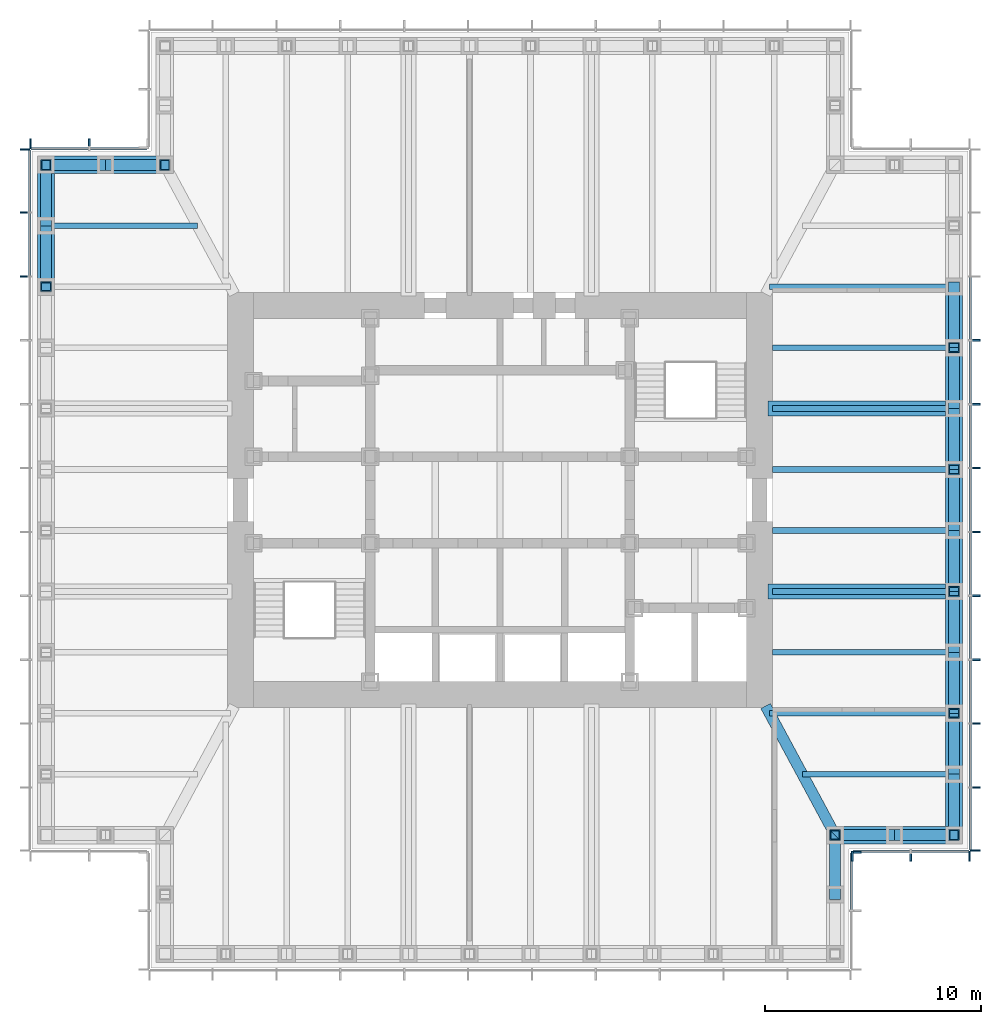
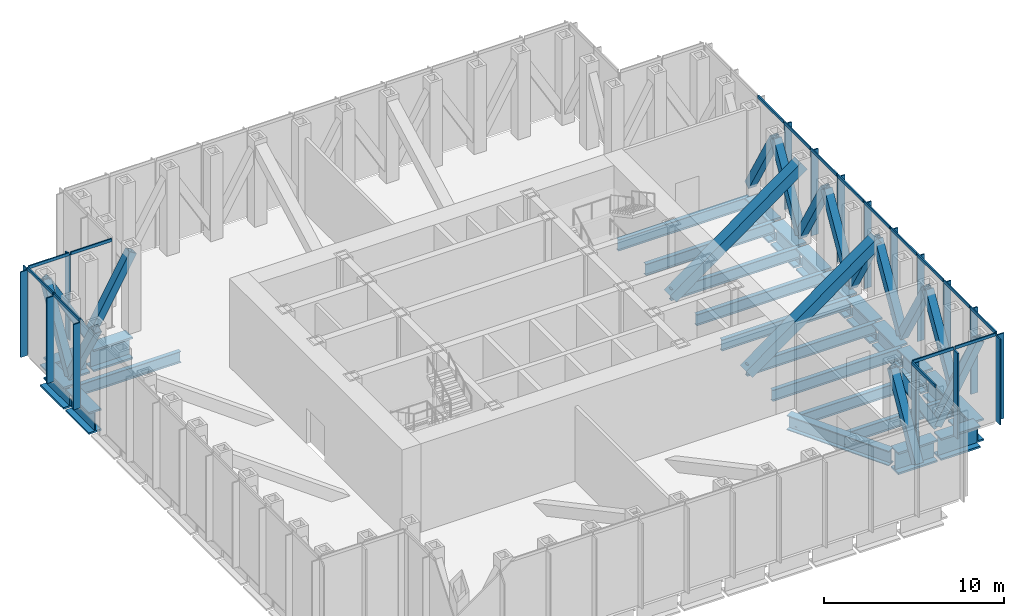
# One storey, part 3 of 12: 52 members, 26 beams, 5 elements without a shape of their own.
"""IFC4 building model written with IfcOpenShell, lengths in metres."""

from ifc_helpers import new_model, si_unit, direction, frame, origin, origin_2d, place, context, subcontext, project, spatial, rectangle, hollow_rectangle, i_section, extrude, material, material_profile, profile_set, type_object, element, aggregate, save


model = new_model("IFC4")

# Units and contexts
model_context = context("Model", 3, precision=1e-05, world=origin(), true_north=direction((0.0, 1.0)))
body_context = subcontext(model_context, "Body", "Model", "MODEL_VIEW")
ifc_project = project(units=[si_unit("LENGTHUNIT", "METRE"), si_unit("AREAUNIT", "SQUARE_METRE"), si_unit("VOLUMEUNIT", "CUBIC_METRE"), si_unit("PLANEANGLEUNIT", "RADIAN"), si_unit("MASSUNIT", "GRAM", prefix="KILO")], contexts=[model_context])

# Site, building, storey
site_placement = place(None, origin())
site = spatial("IfcSite", under=ifc_project, at=site_placement, CompositionType="ELEMENT")
building_placement = place(site_placement, origin())
building = spatial("IfcBuilding", under=site, at=building_placement, Name="Daluyong Arena Tower", CompositionType="ELEMENT")
storey_placement = place(building_placement, frame((0.0, 0.0, 244.300048828125)))
storey = spatial("IfcBuildingStorey", under=building, at=storey_placement, Name="L55", CompositionType="ELEMENT", Elevation=244.300048828125)

# Members
ifc_material_1 = material(Name="Steel ASTM A572 Grade 50", Category="steel")
ifc_material_profile_1 = material_profile(ifc_material_1, hollow_rectangle(XDim=0.5, YDim=0.5, WallThickness=0.04, at=origin_2d()))
ifc_profile_set_1 = profile_set([ifc_material_profile_1], Name="Steel ASTM A572 Grade 50")
member_type_1 = type_object("IfcMemberType", Name="Belt truss diagonal BX500X40", PredefinedType="BRACE", material=ifc_profile_set_1)
for number, where, z_axis, x_axis, name in (
    (1, (71.5, 61.75, 0.5), (0.0, 0.494021463923, 0.869449707104), (-1.0, 0.0, 0.0), "belt truss diagonal BT2"),
    (2, (74.25, 64.5, 0.5), (-0.494021463923, 0.0, 0.869449707104), (0.0, -1.0, 0.0), "belt truss diagonal BT2"),
    (3, (74.25, 64.5, 0.5), (0.494021463923, 0.0, 0.869449707104), (0.0, 1.0, 0.0), "belt truss diagonal BT2"),
):
    element("IfcMember", number, at=place(storey_placement, frame(where, z_axis=z_axis, x_axis=x_axis)), inside=storey, type_object=member_type_1, Name=name, PredefinedType="BRACE", context=body_context, shape_type="SweptSolid", body=[
        extrude(hollow_rectangle(XDim=0.5, YDim=0.5, WallThickness=0.04, at=origin_2d()), origin(), (0.0, 0.0, 1.0), 5.566650390625),
    ])
for number, where, z_axis, x_axis, name in (
    (4, (77.0, 67.318115234375, 0.5), (0.0, -0.503187844061, 0.86417706148), (1.0, 0.0, 0.0), "belt truss diagonal BT2"),
    (5, (77.0, 67.318115234375, 0.5), (0.0, 0.503220397931, 0.864158105387), (-1.0, 0.0, 0.0), "belt truss diagonal BT2"),
    (6, (77.0, 72.95458984375, 0.5), (0.0, -0.503187844061, 0.86417706148), (1.0, 0.0, 0.0), "belt truss diagonal BT2"),
    (7, (77.0, 72.95458984375, 0.5), (0.0, 0.503187844061, 0.86417706148), (-1.0, 0.0, 0.0), "belt truss diagonal BT2"),
    (8, (77.0, 78.5908203125, 0.5), (0.0, -0.503187844061, 0.86417706148), (1.0, 0.0, 0.0), "belt truss diagonal BT2"),
    (9, (77.0, 78.5908203125, 0.5), (0.0, 0.503220397931, 0.864158105387), (-1.0, 0.0, 0.0), "belt truss diagonal BT2"),
    (10, (77.0, 84.227294921875, 0.5), (0.0, -0.503187844061, 0.86417706148), (1.0, 0.0, 0.0), "belt truss diagonal BT2"),
    (11, (77.0, 84.227294921875, 0.5), (0.0, 0.503187844061, 0.86417706148), (-1.0, 0.0, 0.0), "belt truss diagonal BT2"),
    (12, (77.0, 89.863525390625, 0.5), (0.0, -0.503187844061, 0.86417706148), (1.0, 0.0, 0.0), "belt truss diagonal BT2"),
):
    element("IfcMember", number, at=place(storey_placement, frame(where, z_axis=z_axis, x_axis=x_axis)), inside=storey, type_object=member_type_1, Name=name, PredefinedType="BRACE", context=body_context, shape_type="SweptSolid", body=[
        extrude(hollow_rectangle(XDim=0.5, YDim=0.5, WallThickness=0.04, at=origin_2d()), origin(), (0.0, 0.0, 1.0), 5.6005859375),
    ])
for number, where, z_axis, x_axis, name in (
    (13, (37.75, 95.5, 0.5), (0.494021463923, 0.0, 0.869449707104), (0.0, 1.0, 0.0), "belt truss diagonal BT2"),
    (14, (37.75, 95.5, 0.5), (-0.494021463923, 0.0, 0.869449707104), (0.0, -1.0, 0.0), "belt truss diagonal BT2"),
):
    element("IfcMember", number, at=place(storey_placement, frame(where, z_axis=z_axis, x_axis=x_axis)), inside=storey, type_object=member_type_1, Name=name, PredefinedType="BRACE", context=body_context, shape_type="SweptSolid", body=[
        extrude(hollow_rectangle(XDim=0.5, YDim=0.5, WallThickness=0.04, at=origin_2d()), origin(), (0.0, 0.0, 1.0), 5.566650390625),
    ])
for number, where, z_axis, x_axis, name in (
    (15, (35.0, 92.681884765625, 0.5), (0.0, 0.503187844061, 0.86417706148), (-1.0, 0.0, 0.0), "belt truss diagonal BT2"),
    (16, (35.0, 92.681884765625, 0.5), (0.0, -0.503220397931, 0.864158105387), (1.0, 0.0, 0.0), "belt truss diagonal BT2"),
):
    element("IfcMember", number, at=place(storey_placement, frame(where, z_axis=z_axis, x_axis=x_axis)), inside=storey, type_object=member_type_1, Name=name, PredefinedType="BRACE", context=body_context, shape_type="SweptSolid", body=[
        extrude(hollow_rectangle(XDim=0.5, YDim=0.5, WallThickness=0.04, at=origin_2d()), origin(), (0.0, 0.0, 1.0), 5.6005859375),
    ])

# Curtain wall, member
ifc_material_2 = material(Name="Bronze anodised aluminium and glass", Category="aluminium")
curtain_wall_type = type_object("IfcCurtainWallType", Name="Curtain wall CW6", PredefinedType="USERDEFINED", material=ifc_material_2)
curtain_wall_1_placement = place(storey_placement, origin())
curtain_wall_1 = element("IfcCurtainWall", 17, at=curtain_wall_1_placement, inside=storey, type_object=curtain_wall_type, Name="curtain wall L55 SE-E", ObjectType="UNITISED CURTAIN WALL", PredefinedType="USERDEFINED")
ifc_material_3 = material(Name="Bronze anodised aluminium fin", Category="aluminium")
ifc_material_profile_2 = material_profile(ifc_material_3, rectangle(XDim=0.449951171875, YDim=0.080078125, at=origin_2d()))
ifc_profile_set_2 = profile_set([ifc_material_profile_2], Name="Bronze anodised aluminium fin")
member_type_2 = type_object("IfcMemberType", Name="CW6 bronze fin 450x80", PredefinedType="MULLION", material=ifc_profile_set_2)
member_1_placement = place(storey_placement, frame((72.47509765625, 63.7099609375, 0.0), z_axis=(0.0, 0.0, 1.0), x_axis=(-1.0, 0.0, 0.0)))
member_1 = element("IfcMember", 18, at=member_1_placement, type_object=member_type_2, Name="curtain wall L55 SE-E fin 3", PredefinedType="MULLION", context=body_context, shape_type="SweptSolid", body=[
    extrude(rectangle(XDim=0.449951171875, YDim=0.080078125, at=origin_2d()), origin(), (0.0, 0.0, 1.0), 5.800048828125),
])

# Curtain wall, members
curtain_wall_2_placement = place(storey_placement, origin())
curtain_wall_2 = element("IfcCurtainWall", 19, at=curtain_wall_2_placement, inside=storey, type_object=curtain_wall_type, Name="curtain wall L55 SE-S", ObjectType="UNITISED CURTAIN WALL", PredefinedType="USERDEFINED")
member_2_placement = place(storey_placement, frame((72.2900390625, 63.52490234375, 0.0), z_axis=(0.0, 0.0, 1.0), x_axis=(0.0, 1.0, 0.0)))
member_2 = element("IfcMember", 20, at=member_2_placement, type_object=member_type_2, Name="curtain wall L55 SE-S fin 1", PredefinedType="MULLION", context=body_context, shape_type="SweptSolid", body=[
    extrude(rectangle(XDim=0.449951171875, YDim=0.080078125, at=origin_2d()), origin(), (0.0, 0.0, 1.0), 5.800048828125),
])
member_3_placement = place(storey_placement, frame((75.0, 63.52490234375, 0.0), z_axis=(0.0, 0.0, 1.0), x_axis=(0.0, 1.0, 0.0)))
member_3 = element("IfcMember", 21, at=member_3_placement, type_object=member_type_2, Name="curtain wall L55 SE-S fin 2", PredefinedType="MULLION", context=body_context, shape_type="SweptSolid", body=[
    extrude(rectangle(XDim=0.449951171875, YDim=0.080078125, at=origin_2d()), origin(), (0.0, 0.0, 1.0), 5.800048828125),
])
member_4_placement = place(storey_placement, frame((77.7099609375, 63.52490234375, 0.0), z_axis=(0.0, 0.0, 1.0), x_axis=(0.0, 1.0, 0.0)))
member_4 = element("IfcMember", 22, at=member_4_placement, type_object=member_type_2, Name="curtain wall L55 SE-S fin 3", PredefinedType="MULLION", context=body_context, shape_type="SweptSolid", body=[
    extrude(rectangle(XDim=0.449951171875, YDim=0.080078125, at=origin_2d()), origin(), (0.0, 0.0, 1.0), 5.800048828125),
])

curtain_wall_3_placement = place(storey_placement, origin())
curtain_wall_3 = element("IfcCurtainWall", 23, at=curtain_wall_3_placement, inside=storey, type_object=curtain_wall_type, Name="curtain wall L55 E", ObjectType="UNITISED CURTAIN WALL", PredefinedType="USERDEFINED")
member_5_placement = place(storey_placement, frame((77.97509765625, 63.7900390625, 0.0), z_axis=(0.0, 0.0, 1.0), x_axis=(-1.0, 0.0, 0.0)))
member_5 = element("IfcMember", 24, at=member_5_placement, type_object=member_type_2, Name="curtain wall L55 E fin 1", PredefinedType="MULLION", context=body_context, shape_type="SweptSolid", body=[
    extrude(rectangle(XDim=0.449951171875, YDim=0.080078125, at=origin_2d()), origin(), (0.0, 0.0, 1.0), 5.800048828125),
])
member_6_placement = place(storey_placement, frame((77.97509765625, 66.70458984375, 0.0), z_axis=(0.0, 0.0, 1.0), x_axis=(-1.0, 0.0, 0.0)))
member_6 = element("IfcMember", 25, at=member_6_placement, type_object=member_type_2, Name="curtain wall L55 E fin 2", PredefinedType="MULLION", context=body_context, shape_type="SweptSolid", body=[
    extrude(rectangle(XDim=0.449951171875, YDim=0.080078125, at=origin_2d()), origin(), (0.0, 0.0, 1.0), 5.800048828125),
])
member_7_placement = place(storey_placement, frame((77.97509765625, 69.6591796875, 0.0), z_axis=(0.0, 0.0, 1.0), x_axis=(-1.0, 0.0, 0.0)))
member_7 = element("IfcMember", 26, at=member_7_placement, type_object=member_type_2, Name="curtain wall L55 E fin 3", PredefinedType="MULLION", context=body_context, shape_type="SweptSolid", body=[
    extrude(rectangle(XDim=0.449951171875, YDim=0.080078125, at=origin_2d()), origin(), (0.0, 0.0, 1.0), 5.800048828125),
])
member_8_placement = place(storey_placement, frame((77.97509765625, 72.613525390625, 0.0), z_axis=(0.0, 0.0, 1.0), x_axis=(-1.0, 0.0, 0.0)))
member_8 = element("IfcMember", 27, at=member_8_placement, type_object=member_type_2, Name="curtain wall L55 E fin 4", PredefinedType="MULLION", context=body_context, shape_type="SweptSolid", body=[
    extrude(rectangle(XDim=0.449951171875, YDim=0.080078125, at=origin_2d()), origin(), (0.0, 0.0, 1.0), 5.800048828125),
])
member_9_placement = place(storey_placement, frame((77.97509765625, 75.568115234375, 0.0), z_axis=(0.0, 0.0, 1.0), x_axis=(-1.0, 0.0, 0.0)))
member_9 = element("IfcMember", 28, at=member_9_placement, type_object=member_type_2, Name="curtain wall L55 E fin 5", PredefinedType="MULLION", context=body_context, shape_type="SweptSolid", body=[
    extrude(rectangle(XDim=0.449951171875, YDim=0.080078125, at=origin_2d()), origin(), (0.0, 0.0, 1.0), 5.800048828125),
])
member_10_placement = place(storey_placement, frame((77.97509765625, 78.522705078125, 0.0), z_axis=(0.0, 0.0, 1.0), x_axis=(-1.0, 0.0, 0.0)))
member_10 = element("IfcMember", 29, at=member_10_placement, type_object=member_type_2, Name="curtain wall L55 E fin 6", PredefinedType="MULLION", context=body_context, shape_type="SweptSolid", body=[
    extrude(rectangle(XDim=0.449951171875, YDim=0.080078125, at=origin_2d()), origin(), (0.0, 0.0, 1.0), 5.800048828125),
])
member_11_placement = place(storey_placement, frame((77.97509765625, 81.477294921875, 0.0), z_axis=(0.0, 0.0, 1.0), x_axis=(-1.0, 0.0, 0.0)))
member_11 = element("IfcMember", 30, at=member_11_placement, type_object=member_type_2, Name="curtain wall L55 E fin 7", PredefinedType="MULLION", context=body_context, shape_type="SweptSolid", body=[
    extrude(rectangle(XDim=0.449951171875, YDim=0.080078125, at=origin_2d()), origin(), (0.0, 0.0, 1.0), 5.800048828125),
])
member_12_placement = place(storey_placement, frame((77.97509765625, 84.431884765625, 0.0), z_axis=(0.0, 0.0, 1.0), x_axis=(-1.0, 0.0, 0.0)))
member_12 = element("IfcMember", 31, at=member_12_placement, type_object=member_type_2, Name="curtain wall L55 E fin 8", PredefinedType="MULLION", context=body_context, shape_type="SweptSolid", body=[
    extrude(rectangle(XDim=0.449951171875, YDim=0.080078125, at=origin_2d()), origin(), (0.0, 0.0, 1.0), 5.800048828125),
])
member_13_placement = place(storey_placement, frame((77.97509765625, 87.386474609375, 0.0), z_axis=(0.0, 0.0, 1.0), x_axis=(-1.0, 0.0, 0.0)))
member_13 = element("IfcMember", 32, at=member_13_placement, type_object=member_type_2, Name="curtain wall L55 E fin 9", PredefinedType="MULLION", context=body_context, shape_type="SweptSolid", body=[
    extrude(rectangle(XDim=0.449951171875, YDim=0.080078125, at=origin_2d()), origin(), (0.0, 0.0, 1.0), 5.800048828125),
])

curtain_wall_4_placement = place(storey_placement, origin())
curtain_wall_4 = element("IfcCurtainWall", 33, at=curtain_wall_4_placement, inside=storey, type_object=curtain_wall_type, Name="curtain wall L55 NW-N", ObjectType="UNITISED CURTAIN WALL", PredefinedType="USERDEFINED")
member_14_placement = place(storey_placement, frame((37.0, 96.47509765625, 0.0), z_axis=(0.0, 0.0, 1.0), x_axis=(0.0, -1.0, 0.0)))
member_14 = element("IfcMember", 34, at=member_14_placement, type_object=member_type_2, Name="curtain wall L55 NW-N fin 2", PredefinedType="MULLION", context=body_context, shape_type="SweptSolid", body=[
    extrude(rectangle(XDim=0.449951171875, YDim=0.080078125, at=origin_2d()), origin(), (0.0, 0.0, 1.0), 5.800048828125),
])
member_15_placement = place(storey_placement, frame((34.2900390625, 96.47509765625, 0.0), z_axis=(0.0, 0.0, 1.0), x_axis=(0.0, -1.0, 0.0)))
member_15 = element("IfcMember", 35, at=member_15_placement, type_object=member_type_2, Name="curtain wall L55 NW-N fin 3", PredefinedType="MULLION", context=body_context, shape_type="SweptSolid", body=[
    extrude(rectangle(XDim=0.449951171875, YDim=0.080078125, at=origin_2d()), origin(), (0.0, 0.0, 1.0), 5.800048828125),
])

curtain_wall_5_placement = place(storey_placement, origin())
curtain_wall_5 = element("IfcCurtainWall", 36, at=curtain_wall_5_placement, inside=storey, type_object=curtain_wall_type, Name="curtain wall L55 W", ObjectType="UNITISED CURTAIN WALL", PredefinedType="USERDEFINED")
member_16_placement = place(storey_placement, frame((34.02490234375, 96.2099609375, 0.0), z_axis=(0.0, 0.0, 1.0), x_axis=(1.0, 0.0, 0.0)))
member_16 = element("IfcMember", 37, at=member_16_placement, type_object=member_type_2, Name="curtain wall L55 W fin 1", PredefinedType="MULLION", context=body_context, shape_type="SweptSolid", body=[
    extrude(rectangle(XDim=0.449951171875, YDim=0.080078125, at=origin_2d()), origin(), (0.0, 0.0, 1.0), 5.800048828125),
])
member_17_placement = place(storey_placement, frame((34.02490234375, 93.29541015625, 0.0), z_axis=(0.0, 0.0, 1.0), x_axis=(1.0, 0.0, 0.0)))
member_17 = element("IfcMember", 38, at=member_17_placement, type_object=member_type_2, Name="curtain wall L55 W fin 2", PredefinedType="MULLION", context=body_context, shape_type="SweptSolid", body=[
    extrude(rectangle(XDim=0.449951171875, YDim=0.080078125, at=origin_2d()), origin(), (0.0, 0.0, 1.0), 5.800048828125),
])
member_18_placement = place(storey_placement, frame((34.02490234375, 90.3408203125, 0.0), z_axis=(0.0, 0.0, 1.0), x_axis=(1.0, 0.0, 0.0)))
member_18 = element("IfcMember", 39, at=member_18_placement, type_object=member_type_2, Name="curtain wall L55 W fin 3", PredefinedType="MULLION", context=body_context, shape_type="SweptSolid", body=[
    extrude(rectangle(XDim=0.449951171875, YDim=0.080078125, at=origin_2d()), origin(), (0.0, 0.0, 1.0), 5.800048828125),
])

# Member
ifc_material_4 = material(Name="Bronze anodised aluminium", Category="aluminium")
ifc_material_profile_3 = material_profile(ifc_material_4, rectangle(XDim=0.080078125, YDim=0.199951171875, at=origin_2d()))
ifc_profile_set_3 = profile_set([ifc_material_profile_3], Name="Bronze anodised aluminium")
member_type_3 = type_object("IfcMemberType", Name="CW6 stack transom 200x80", PredefinedType="USERDEFINED", material=ifc_profile_set_3)
member_19_placement = place(storey_placement, frame((72.25, 61.0400390625, 5.89990234375), z_axis=(0.0, 1.0, 0.0), x_axis=(-1.0, 0.0, 0.0)))
member_19 = element("IfcMember", 40, at=member_19_placement, type_object=member_type_3, Name="curtain wall L55 SE-E transom 2", ObjectType="TRANSOM", PredefinedType="USERDEFINED", context=body_context, shape_type="SweptSolid", body=[
    extrude(rectangle(XDim=0.080078125, YDim=0.199951171875, at=origin_2d()), origin(), (0.0, 0.0, 1.0), 2.6298828125),
])

aggregate(curtain_wall_1, [member_1, member_19])

member_20_placement = place(storey_placement, frame((72.330078125, 63.75, 5.89990234375), z_axis=(1.0, 0.0, 0.0), x_axis=(0.0, 1.0, 0.0)))
member_20 = element("IfcMember", 41, at=member_20_placement, type_object=member_type_3, Name="curtain wall L55 SE-S transom 1", ObjectType="TRANSOM", PredefinedType="USERDEFINED", context=body_context, shape_type="SweptSolid", body=[
    extrude(rectangle(XDim=0.080078125, YDim=0.199951171875, at=origin_2d()), origin(), (0.0, 0.0, 1.0), 2.6298828125),
])

member_21_placement = place(storey_placement, frame((75.0400390625, 63.75, 5.89990234375), z_axis=(1.0, 0.0, 0.0), x_axis=(0.0, 1.0, 0.0)))
member_21 = element("IfcMember", 42, at=member_21_placement, type_object=member_type_3, Name="curtain wall L55 SE-S transom 2", ObjectType="TRANSOM", PredefinedType="USERDEFINED", context=body_context, shape_type="SweptSolid", body=[
    extrude(rectangle(XDim=0.080078125, YDim=0.199951171875, at=origin_2d()), origin(), (0.0, 0.0, 1.0), 2.6298828125),
])

aggregate(curtain_wall_2, [member_2, member_3, member_4, member_20, member_21])

member_22_placement = place(storey_placement, frame((77.75, 63.830078125, 5.89990234375), z_axis=(0.0, 1.0, 0.0), x_axis=(-1.0, 0.0, 0.0)))
member_22 = element("IfcMember", 43, at=member_22_placement, type_object=member_type_3, Name="curtain wall L55 E transom 1", ObjectType="TRANSOM", PredefinedType="USERDEFINED", context=body_context, shape_type="SweptSolid", body=[
    extrude(rectangle(XDim=0.080078125, YDim=0.199951171875, at=origin_2d()), origin(), (0.0, 0.0, 1.0), 2.83447265625),
])

member_23_placement = place(storey_placement, frame((77.75, 66.74462890625, 5.89990234375), z_axis=(0.0, 1.0, 0.0), x_axis=(-1.0, 0.0, 0.0)))
member_23 = element("IfcMember", 44, at=member_23_placement, type_object=member_type_3, Name="curtain wall L55 E transom 2", ObjectType="TRANSOM", PredefinedType="USERDEFINED", context=body_context, shape_type="SweptSolid", body=[
    extrude(rectangle(XDim=0.080078125, YDim=0.199951171875, at=origin_2d()), origin(), (0.0, 0.0, 1.0), 2.87451171875),
])

member_24_placement = place(storey_placement, frame((77.75, 69.698974609375, 5.89990234375), z_axis=(0.0, 1.0, 0.0), x_axis=(-1.0, 0.0, 0.0)))
member_24 = element("IfcMember", 45, at=member_24_placement, type_object=member_type_3, Name="curtain wall L55 E transom 3", ObjectType="TRANSOM", PredefinedType="USERDEFINED", context=body_context, shape_type="SweptSolid", body=[
    extrude(rectangle(XDim=0.080078125, YDim=0.199951171875, at=origin_2d()), origin(), (0.0, 0.0, 1.0), 2.874755859375),
])

member_25_placement = place(storey_placement, frame((77.75, 72.653564453125, 5.89990234375), z_axis=(0.0, 1.0, 0.0), x_axis=(-1.0, 0.0, 0.0)))
member_25 = element("IfcMember", 46, at=member_25_placement, type_object=member_type_3, Name="curtain wall L55 E transom 4", ObjectType="TRANSOM", PredefinedType="USERDEFINED", context=body_context, shape_type="SweptSolid", body=[
    extrude(rectangle(XDim=0.080078125, YDim=0.199951171875, at=origin_2d()), origin(), (0.0, 0.0, 1.0), 2.87451171875),
])

member_26_placement = place(storey_placement, frame((77.75, 75.608154296875, 5.89990234375), z_axis=(0.0, 1.0, 0.0), x_axis=(-1.0, 0.0, 0.0)))
member_26 = element("IfcMember", 47, at=member_26_placement, type_object=member_type_3, Name="curtain wall L55 E transom 5", ObjectType="TRANSOM", PredefinedType="USERDEFINED", context=body_context, shape_type="SweptSolid", body=[
    extrude(rectangle(XDim=0.080078125, YDim=0.199951171875, at=origin_2d()), origin(), (0.0, 0.0, 1.0), 2.87451171875),
])

member_27_placement = place(storey_placement, frame((77.75, 78.562744140625, 5.89990234375), z_axis=(0.0, 1.0, 0.0), x_axis=(-1.0, 0.0, 0.0)))
member_27 = element("IfcMember", 48, at=member_27_placement, type_object=member_type_3, Name="curtain wall L55 E transom 6", ObjectType="TRANSOM", PredefinedType="USERDEFINED", context=body_context, shape_type="SweptSolid", body=[
    extrude(rectangle(XDim=0.080078125, YDim=0.199951171875, at=origin_2d()), origin(), (0.0, 0.0, 1.0), 2.87451171875),
])

member_28_placement = place(storey_placement, frame((77.75, 81.517333984375, 5.89990234375), z_axis=(0.0, 1.0, 0.0), x_axis=(-1.0, 0.0, 0.0)))
member_28 = element("IfcMember", 49, at=member_28_placement, type_object=member_type_3, Name="curtain wall L55 E transom 7", ObjectType="TRANSOM", PredefinedType="USERDEFINED", context=body_context, shape_type="SweptSolid", body=[
    extrude(rectangle(XDim=0.080078125, YDim=0.199951171875, at=origin_2d()), origin(), (0.0, 0.0, 1.0), 2.87451171875),
])

member_29_placement = place(storey_placement, frame((77.75, 84.471923828125, 5.89990234375), z_axis=(0.0, 1.0, 0.0), x_axis=(-1.0, 0.0, 0.0)))
member_29 = element("IfcMember", 50, at=member_29_placement, type_object=member_type_3, Name="curtain wall L55 E transom 8", ObjectType="TRANSOM", PredefinedType="USERDEFINED", context=body_context, shape_type="SweptSolid", body=[
    extrude(rectangle(XDim=0.080078125, YDim=0.199951171875, at=origin_2d()), origin(), (0.0, 0.0, 1.0), 2.87451171875),
])

member_30_placement = place(storey_placement, frame((77.75, 87.42626953125, 5.89990234375), z_axis=(0.0, 1.0, 0.0), x_axis=(-1.0, 0.0, 0.0)))
member_30 = element("IfcMember", 51, at=member_30_placement, type_object=member_type_3, Name="curtain wall L55 E transom 9", ObjectType="TRANSOM", PredefinedType="USERDEFINED", context=body_context, shape_type="SweptSolid", body=[
    extrude(rectangle(XDim=0.080078125, YDim=0.199951171875, at=origin_2d()), origin(), (0.0, 0.0, 1.0), 2.874755859375),
])

aggregate(curtain_wall_3, [member_5, member_6, member_7, member_8, member_9, member_10, member_11, member_12, member_13, member_22, member_23, member_24, member_25, member_26, member_27, member_28, member_29, member_30])

member_31_placement = place(storey_placement, frame((39.669921875, 96.25, 5.89990234375), z_axis=(-1.0, 0.0, 0.0), x_axis=(0.0, -1.0, 0.0)))
member_31 = element("IfcMember", 52, at=member_31_placement, type_object=member_type_3, Name="curtain wall L55 NW-N transom 1", ObjectType="TRANSOM", PredefinedType="USERDEFINED", context=body_context, shape_type="SweptSolid", body=[
    extrude(rectangle(XDim=0.080078125, YDim=0.199951171875, at=origin_2d()), origin(), (0.0, 0.0, 1.0), 2.6298828125),
])

member_32_placement = place(storey_placement, frame((36.9599609375, 96.25, 5.89990234375), z_axis=(-1.0, 0.0, 0.0), x_axis=(0.0, -1.0, 0.0)))
member_32 = element("IfcMember", 53, at=member_32_placement, type_object=member_type_3, Name="curtain wall L55 NW-N transom 2", ObjectType="TRANSOM", PredefinedType="USERDEFINED", context=body_context, shape_type="SweptSolid", body=[
    extrude(rectangle(XDim=0.080078125, YDim=0.199951171875, at=origin_2d()), origin(), (0.0, 0.0, 1.0), 2.6298828125),
])

aggregate(curtain_wall_4, [member_14, member_15, member_31, member_32])

member_33_placement = place(storey_placement, frame((34.25, 96.169921875, 5.89990234375), z_axis=(0.0, -1.0, 0.0), x_axis=(1.0, 0.0, 0.0)))
member_33 = element("IfcMember", 54, at=member_33_placement, type_object=member_type_3, Name="curtain wall L55 W transom 1", ObjectType="TRANSOM", PredefinedType="USERDEFINED", context=body_context, shape_type="SweptSolid", body=[
    extrude(rectangle(XDim=0.080078125, YDim=0.199951171875, at=origin_2d()), origin(), (0.0, 0.0, 1.0), 2.83447265625),
])

member_34_placement = place(storey_placement, frame((34.25, 93.25537109375, 5.89990234375), z_axis=(0.0, -1.0, 0.0), x_axis=(1.0, 0.0, 0.0)))
member_34 = element("IfcMember", 55, at=member_34_placement, type_object=member_type_3, Name="curtain wall L55 W transom 2", ObjectType="TRANSOM", PredefinedType="USERDEFINED", context=body_context, shape_type="SweptSolid", body=[
    extrude(rectangle(XDim=0.080078125, YDim=0.199951171875, at=origin_2d()), origin(), (0.0, 0.0, 1.0), 2.87451171875),
])

aggregate(curtain_wall_5, [member_16, member_17, member_18, member_33, member_34])

# Beams
ifc_material_5 = material(Name="Steel ASTM A572 Grade 50", Category="steel")
ifc_material_profile_4 = material_profile(ifc_material_5, i_section(OverallWidth=0.5, OverallDepth=1.0, WebThickness=0.03, FlangeThickness=0.06, at=origin_2d()))
ifc_profile_set_4 = profile_set([ifc_material_profile_4], Name="Steel ASTM A572 Grade 50")
beam_type_1 = type_object("IfcBeamType", Name="Corner girder TB1000X500", PredefinedType="BEAM", material=ifc_profile_set_4)
beam_1_placement = place(storey_placement, frame((71.445556640625, 64.601318359375, -0.75), z_axis=(-0.474119475266, 0.880460517669, 0.0), x_axis=(-0.880460517669, -0.474119475266, 0.0)))
element("IfcBeam", 56, at=beam_1_placement, inside=storey, type_object=beam_type_1, Name="corner girder DG2", PredefinedType="BEAM", context=body_context, shape_type="SweptSolid", body=[
    extrude(i_section(OverallWidth=0.5, OverallDepth=1.0, WebThickness=0.03, FlangeThickness=0.06, at=origin_2d()), origin(), (0.0, 0.0, 1.0), 6.66748046875),
])
ifc_material_6 = material(Name="Steel ASTM A992 Grade 50", Category="steel")
ifc_material_profile_5 = material_profile(ifc_material_6, i_section(OverallWidth=0.2666015625, OverallDepth=0.761962890625, WebThickness=0.014404296875, FlangeThickness=0.021484375, at=origin_2d()))
ifc_profile_set_5 = profile_set([ifc_material_profile_5], Name="Steel ASTM A992 Grade 50")
beam_type_2 = type_object("IfcBeamType", Name="Floor beam W30X116", PredefinedType="BEAM", material=ifc_profile_set_5)
beam_2_placement = place(storey_placement, frame((76.885009765625, 67.318115234375, -0.631103515625), z_axis=(-1.0, 0.0, 0.0), x_axis=(0.0, -1.0, 0.0)))
element("IfcBeam", 57, at=beam_2_placement, inside=storey, type_object=beam_type_2, Name="floor beam FB4", PredefinedType="BEAM", context=body_context, shape_type="SweptSolid", body=[
    extrude(i_section(OverallWidth=0.2666015625, OverallDepth=0.761962890625, WebThickness=0.014404296875, FlangeThickness=0.021484375, at=origin_2d()), origin(), (0.0, 0.0, 1.0), 6.902587890625),
])
beam_3_placement = place(storey_placement, frame((76.885009765625, 70.136474609375, -0.631103515625), z_axis=(-1.0, 0.0, 0.0), x_axis=(0.0, -1.0, 0.0)))
element("IfcBeam", 58, at=beam_3_placement, inside=storey, type_object=beam_type_2, Name="floor beam FB4", PredefinedType="BEAM", context=body_context, shape_type="SweptSolid", body=[
    extrude(i_section(OverallWidth=0.2666015625, OverallDepth=0.761962890625, WebThickness=0.014404296875, FlangeThickness=0.021484375, at=origin_2d()), origin(), (0.0, 0.0, 1.0), 8.419921875),
])
for number, where, z_axis, x_axis, name in (
    (59, (76.885009765625, 72.95458984375, -0.631103515625), (-1.0, 0.0, 0.0), (0.0, -1.0, 0.0), "floor beam FB4"),
    (60, (76.885009765625, 75.772705078125, -0.631103515625), (-1.0, 0.0, 0.0), (0.0, -1.0, 0.0), "floor beam FB4"),
    (61, (76.885009765625, 78.5908203125, -0.631103515625), (-1.0, 0.0, 0.0), (0.0, -1.0, 0.0), "floor beam FB4"),
    (62, (76.885009765625, 81.4091796875, -0.631103515625), (-1.0, 0.0, 0.0), (0.0, -1.0, 0.0), "floor beam FB4"),
    (63, (76.885009765625, 84.227294921875, -0.631103515625), (-1.0, 0.0, 0.0), (0.0, -1.0, 0.0), "floor beam FB4"),
    (64, (76.885009765625, 87.04541015625, -0.631103515625), (-1.0, 0.0, 0.0), (0.0, -1.0, 0.0), "floor beam FB4"),
):
    element("IfcBeam", number, at=place(storey_placement, frame(where, z_axis=z_axis, x_axis=x_axis)), inside=storey, type_object=beam_type_2, Name=name, PredefinedType="BEAM", context=body_context, shape_type="SweptSolid", body=[
        extrude(i_section(OverallWidth=0.2666015625, OverallDepth=0.761962890625, WebThickness=0.014404296875, FlangeThickness=0.021484375, at=origin_2d()), origin(), (0.0, 0.0, 1.0), 8.284912109375),
    ])
beam_4_placement = place(storey_placement, frame((76.885009765625, 89.863525390625, -0.631103515625), z_axis=(-1.0, 0.0, 0.0), x_axis=(0.0, -1.0, 0.0)))
element("IfcBeam", 65, at=beam_4_placement, inside=storey, type_object=beam_type_2, Name="floor beam FB4", PredefinedType="BEAM", context=body_context, shape_type="SweptSolid", body=[
    extrude(i_section(OverallWidth=0.2666015625, OverallDepth=0.761962890625, WebThickness=0.014404296875, FlangeThickness=0.021484375, at=origin_2d()), origin(), (0.0, 0.0, 1.0), 8.419921875),
])
beam_5_placement = place(storey_placement, frame((35.114990234375, 92.681884765625, -0.631103515625), z_axis=(1.0, 0.0, 0.0), x_axis=(0.0, 1.0, 0.0)))
element("IfcBeam", 66, at=beam_5_placement, inside=storey, type_object=beam_type_2, Name="floor beam FB4", PredefinedType="BEAM", context=body_context, shape_type="SweptSolid", body=[
    extrude(i_section(OverallWidth=0.2666015625, OverallDepth=0.761962890625, WebThickness=0.014404296875, FlangeThickness=0.021484375, at=origin_2d()), origin(), (0.0, 0.0, 1.0), 6.902587890625),
])

# Members
ifc_material_7 = material(Name="Steel ASTM A572 Grade 50", Category="steel")
ifc_material_profile_6 = material_profile(ifc_material_7, hollow_rectangle(XDim=0.699951171875, YDim=0.699951171875, WallThickness=0.06, at=origin_2d()))
ifc_profile_set_6 = profile_set([ifc_material_profile_6], Name="Steel ASTM A572 Grade 50")
member_type_4 = type_object("IfcMemberType", Name="Outrigger diagonal BX700X60", PredefinedType="BRACE", material=ifc_profile_set_6)
for number, where, z_axis, x_axis, name in (
    (67, (68.60009765625, 75.772705078125, -0.75), (0.809614357209, 0.0, 0.586962173058), (0.0, 1.0, 0.0), "outrigger diagonal OT1"),
    (68, (68.60009765625, 84.227294921875, -0.75), (0.809614357209, 0.0, 0.586962173058), (0.0, 1.0, 0.0), "outrigger diagonal OT1"),
):
    element("IfcMember", number, at=place(storey_placement, frame(where, z_axis=z_axis, x_axis=x_axis)), inside=storey, type_object=member_type_4, Name=name, PredefinedType="BRACE", context=body_context, shape_type="SweptSolid", body=[
        extrude(hollow_rectangle(XDim=0.699951171875, YDim=0.699951171875, WallThickness=0.06, at=origin_2d()), origin(), (0.0, 0.0, 1.0), 10.375244140625),
    ])

# Beams
ifc_material_8 = material(Name="Steel ASTM A588 Grade 50", Category="steel")
ifc_material_profile_7 = material_profile(ifc_material_8, i_section(OverallWidth=0.800048828125, OverallDepth=1.5, WebThickness=0.05, FlangeThickness=0.12, at=origin_2d()))
ifc_profile_set_7 = profile_set([ifc_material_profile_7], Name="Steel ASTM A588 Grade 50")
beam_type_3 = type_object("IfcBeamType", Name="Spandrel Z3 PG1500X800", PredefinedType="SPANDREL", material=ifc_profile_set_7)
for number, where, z_axis, x_axis, name in (
    (69, (71.614990234375, 64.5, -1.0), (1.0, 0.0, 0.0), (0.0, 1.0, 0.0), "spandrel z3 SB7"),
    (70, (74.364990234375, 64.5, -1.0), (1.0, 0.0, 0.0), (0.0, 1.0, 0.0), "spandrel z3 SB7"),
):
    element("IfcBeam", number, at=place(storey_placement, frame(where, z_axis=z_axis, x_axis=x_axis)), inside=storey, type_object=beam_type_3, Name=name, PredefinedType="SPANDREL", context=body_context, shape_type="SweptSolid", body=[
        extrude(i_section(OverallWidth=0.800048828125, OverallDepth=1.5, WebThickness=0.05, FlangeThickness=0.12, at=origin_2d()), origin(), (0.0, 0.0, 1.0), 2.52001953125),
    ])
beam_6_placement = place(storey_placement, frame((77.0, 64.614990234375, -1.0), z_axis=(0.0, 1.0, 0.0), x_axis=(-1.0, 0.0, 0.0)))
element("IfcBeam", 71, at=beam_6_placement, inside=storey, type_object=beam_type_3, Name="spandrel z3 SB7", PredefinedType="SPANDREL", context=body_context, shape_type="SweptSolid", body=[
    extrude(i_section(OverallWidth=0.800048828125, OverallDepth=1.5, WebThickness=0.05, FlangeThickness=0.12, at=origin_2d()), origin(), (0.0, 0.0, 1.0), 2.588134765625),
])
beam_7_placement = place(storey_placement, frame((77.0, 67.43310546875, -1.0), z_axis=(0.0, 1.0, 0.0), x_axis=(-1.0, 0.0, 0.0)))
element("IfcBeam", 72, at=beam_7_placement, inside=storey, type_object=beam_type_3, Name="spandrel z3 SB7", PredefinedType="SPANDREL", context=body_context, shape_type="SweptSolid", body=[
    extrude(i_section(OverallWidth=0.800048828125, OverallDepth=1.5, WebThickness=0.05, FlangeThickness=0.12, at=origin_2d()), origin(), (0.0, 0.0, 1.0), 2.58837890625),
])
for number, where, z_axis, x_axis, name in (
    (73, (77.0, 70.25146484375, -1.0), (0.0, 1.0, 0.0), (-1.0, 0.0, 0.0), "spandrel z3 SB7"),
    (74, (77.0, 73.069580078125, -1.0), (0.0, 1.0, 0.0), (-1.0, 0.0, 0.0), "spandrel z3 SB7"),
    (75, (77.0, 75.8876953125, -1.0), (0.0, 1.0, 0.0), (-1.0, 0.0, 0.0), "spandrel z3 SB7"),
):
    element("IfcBeam", number, at=place(storey_placement, frame(where, z_axis=z_axis, x_axis=x_axis)), inside=storey, type_object=beam_type_3, Name=name, PredefinedType="SPANDREL", context=body_context, shape_type="SweptSolid", body=[
        extrude(i_section(OverallWidth=0.800048828125, OverallDepth=1.5, WebThickness=0.05, FlangeThickness=0.12, at=origin_2d()), origin(), (0.0, 0.0, 1.0), 2.588134765625),
    ])
beam_8_placement = place(storey_placement, frame((77.0, 78.705810546875, -1.0), z_axis=(0.0, 1.0, 0.0), x_axis=(-1.0, 0.0, 0.0)))
element("IfcBeam", 76, at=beam_8_placement, inside=storey, type_object=beam_type_3, Name="spandrel z3 SB7", PredefinedType="SPANDREL", context=body_context, shape_type="SweptSolid", body=[
    extrude(i_section(OverallWidth=0.800048828125, OverallDepth=1.5, WebThickness=0.05, FlangeThickness=0.12, at=origin_2d()), origin(), (0.0, 0.0, 1.0), 2.58837890625),
])
for number, where, z_axis, x_axis, name in (
    (77, (77.0, 81.524169921875, -1.0), (0.0, 1.0, 0.0), (-1.0, 0.0, 0.0), "spandrel z3 SB7"),
    (78, (77.0, 84.34228515625, -1.0), (0.0, 1.0, 0.0), (-1.0, 0.0, 0.0), "spandrel z3 SB7"),
    (79, (77.0, 87.160400390625, -1.0), (0.0, 1.0, 0.0), (-1.0, 0.0, 0.0), "spandrel z3 SB7"),
):
    element("IfcBeam", number, at=place(storey_placement, frame(where, z_axis=z_axis, x_axis=x_axis)), inside=storey, type_object=beam_type_3, Name=name, PredefinedType="SPANDREL", context=body_context, shape_type="SweptSolid", body=[
        extrude(i_section(OverallWidth=0.800048828125, OverallDepth=1.5, WebThickness=0.05, FlangeThickness=0.12, at=origin_2d()), origin(), (0.0, 0.0, 1.0), 2.588134765625),
    ])
for number, where, z_axis, x_axis, name in (
    (80, (40.385009765625, 95.5, -1.0), (-1.0, 0.0, 0.0), (0.0, -1.0, 0.0), "spandrel z3 SB7"),
    (81, (37.635009765625, 95.5, -1.0), (-1.0, 0.0, 0.0), (0.0, -1.0, 0.0), "spandrel z3 SB7"),
):
    element("IfcBeam", number, at=place(storey_placement, frame(where, z_axis=z_axis, x_axis=x_axis)), inside=storey, type_object=beam_type_3, Name=name, PredefinedType="SPANDREL", context=body_context, shape_type="SweptSolid", body=[
        extrude(i_section(OverallWidth=0.800048828125, OverallDepth=1.5, WebThickness=0.05, FlangeThickness=0.12, at=origin_2d()), origin(), (0.0, 0.0, 1.0), 2.52001953125),
    ])
beam_9_placement = place(storey_placement, frame((35.0, 95.385009765625, -1.0), z_axis=(0.0, -1.0, 0.0), x_axis=(1.0, 0.0, 0.0)))
element("IfcBeam", 82, at=beam_9_placement, inside=storey, type_object=beam_type_3, Name="spandrel z3 SB7", PredefinedType="SPANDREL", context=body_context, shape_type="SweptSolid", body=[
    extrude(i_section(OverallWidth=0.800048828125, OverallDepth=1.5, WebThickness=0.05, FlangeThickness=0.12, at=origin_2d()), origin(), (0.0, 0.0, 1.0), 2.588134765625),
])
beam_10_placement = place(storey_placement, frame((35.0, 92.56689453125, -1.0), z_axis=(0.0, -1.0, 0.0), x_axis=(1.0, 0.0, 0.0)))
element("IfcBeam", 83, at=beam_10_placement, inside=storey, type_object=beam_type_3, Name="spandrel z3 SB7", PredefinedType="SPANDREL", context=body_context, shape_type="SweptSolid", body=[
    extrude(i_section(OverallWidth=0.800048828125, OverallDepth=1.5, WebThickness=0.05, FlangeThickness=0.12, at=origin_2d()), origin(), (0.0, 0.0, 1.0), 2.58837890625),
])

save(model, "model.ifc")
